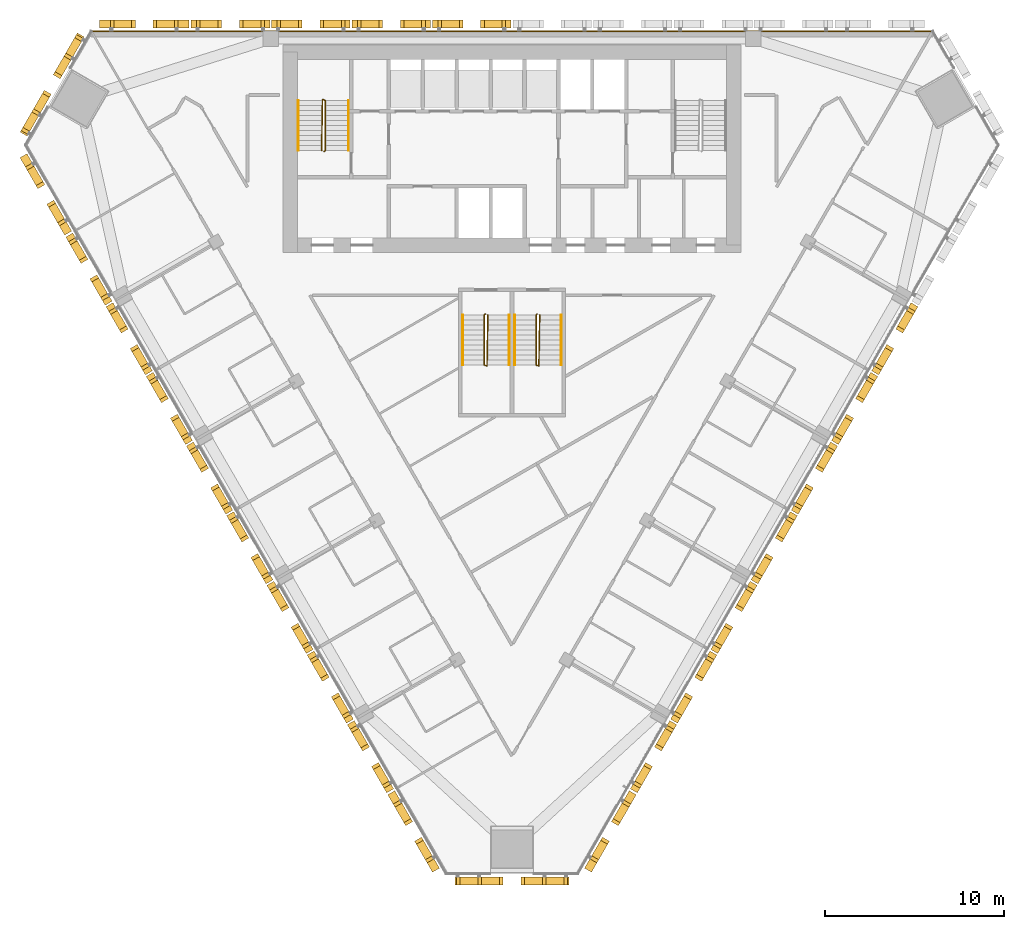
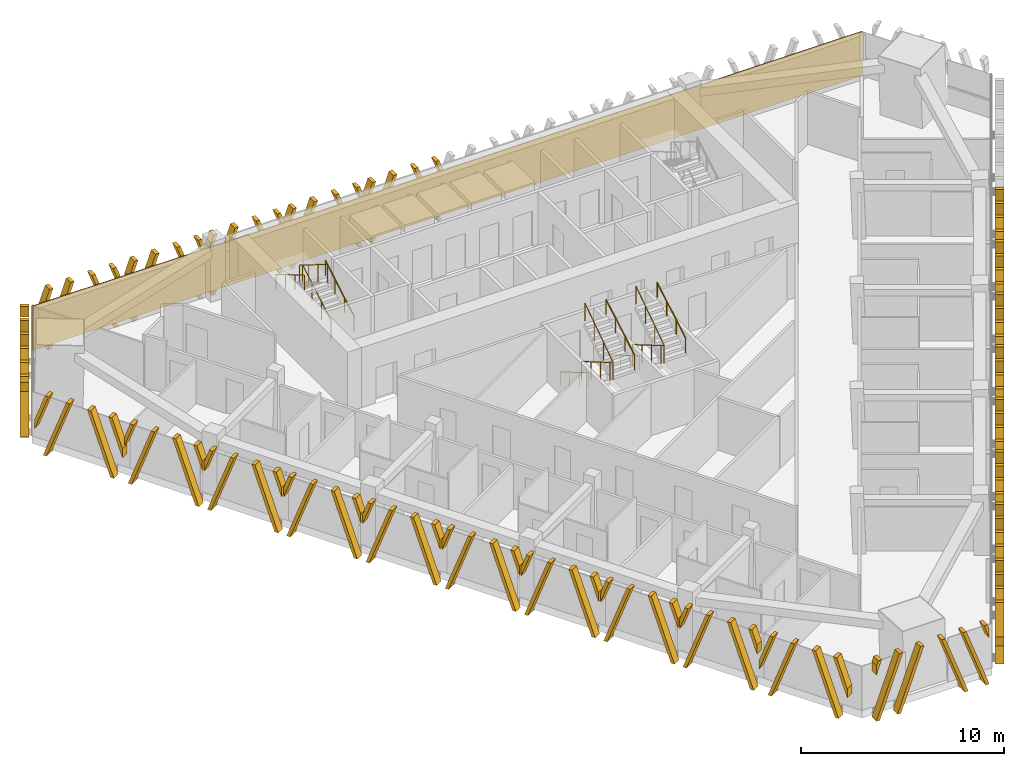
# One storey, part 14 of 16: 25 shading devices, 9 railings, 1 covering.
"""IFC4 building model written with IfcOpenShell, lengths in metres."""

from ifc_helpers import new_model, si_unit, direction, frame, frame_2d, origin, origin_2d, place, context, subcontext, project, spatial, polyline, rectangle, circle, outline, extrude, source, transform, mapped, material, layer, layer_set, type_object, element, save


model = new_model("IFC4")

# Units and contexts
model_context = context("Model", 3, precision=1e-05, world=origin(), true_north=direction((0.0, 1.0)))
body_context = subcontext(model_context, "Body", "Model", "MODEL_VIEW")
ifc_project = project(units=[si_unit("LENGTHUNIT", "METRE"), si_unit("AREAUNIT", "SQUARE_METRE"), si_unit("VOLUMEUNIT", "CUBIC_METRE"), si_unit("PLANEANGLEUNIT", "RADIAN"), si_unit("MASSUNIT", "GRAM", prefix="KILO")], contexts=[model_context])

# Site, building, storey
site_placement = place(None, origin())
site = spatial("IfcSite", under=ifc_project, at=site_placement, CompositionType="ELEMENT")
building_placement = place(site_placement, origin())
building = spatial("IfcBuilding", under=site, at=building_placement, Name="Altiplano Prism Tower", CompositionType="ELEMENT")
storey_placement = place(building_placement, frame((0.0, 0.0, 149.39990234375)))
storey = spatial("IfcBuildingStorey", under=building, at=storey_placement, Name="L38", CompositionType="ELEMENT", Elevation=149.39990234375)

# Railings
ifc_material_1 = material(Name="Steel S355", Category="steel")
railing_type_1 = type_object("IfcRailingType", Name="Stair guard 1100", PredefinedType="GUARDRAIL", material=ifc_material_1)
railing_1_placement = place(storey_placement, frame((74.5, 98.25, 0.0)))
element("IfcRailing", 1, at=railing_1_placement, inside=storey, type_object=railing_type_1, Name="L38 ST1 stair guard 1", PredefinedType="GUARDRAIL", context=body_context, shape_type="SweptSolid", body=[
    extrude(circle(Radius=0.02392578125, at=origin_2d()), frame((0.0, 0.0, 1.076171875), z_axis=(0.280456126637, 0.280456126637, 0.917980785237), x_axis=(-0.707106781187, 0.707106781187, 0.0)), (0.0, 0.0, 1.0), 0.178466796875),
    extrude(circle(Radius=0.02392578125, at=origin_2d()), frame((0.050048828125, 0.050048828125, 1.23974609375), z_axis=(0.0, 0.863393664356, 0.504530851732), x_axis=(-1.0, 0.0, 0.0)), (0.0, 0.0, 1.0), 3.2431640625),
    extrude(circle(Radius=0.02392578125, at=origin_2d()), frame((0.050048828125, 2.85009765625, 2.8759765625), z_axis=(-0.949145278916, 0.314838433982, 0.0), x_axis=(-0.314838433982, -0.949145278916, 0.0)), (0.0, 0.0, 1.0), 0.158203125),
    extrude(circle(Radius=0.02392578125, at=origin_2d()), frame((-0.10009765625, 2.89990234375, 2.8759765625), z_axis=(-0.01477401265, -0.845377694409, 0.533964682676), x_axis=(0.999847325713, -0.01747355902, 0.0)), (0.0, 0.0, 1.0), 3.37109375),
    extrude(circle(Radius=0.02099609375, at=origin_2d()), origin(), (0.0, 0.0, 1.0), 1.052001953125),
    extrude(circle(Radius=0.02099609375, at=origin_2d()), frame((0.050048828125, 0.050048828125, 0.163818359375)), (0.0, 0.0, 1.0), 1.052001953125),
    extrude(circle(Radius=0.02099609375, at=origin_2d()), frame((0.050048828125, 0.9833984375, 0.709228515625)), (0.0, 0.0, 1.0), 1.052001953125),
    extrude(circle(Radius=0.02099609375, at=origin_2d()), frame((0.050048828125, 1.916748046875, 1.254638671875)), (0.0, 0.0, 1.0), 1.052001953125),
    extrude(circle(Radius=0.02099609375, at=origin_2d()), frame((0.050048828125, 2.85009765625, 1.800048828125)), (0.0, 0.0, 1.0), 1.052001953125),
    extrude(circle(Radius=0.02099609375, at=origin_2d()), frame((-0.10009765625, 2.89990234375, 1.800048828125)), (0.0, 0.0, 1.0), 1.052001953125),
    extrude(circle(Radius=0.02099609375, at=origin_2d()), frame((-0.11669921875, 1.949951171875, 2.400146484375)), (0.0, 0.0, 1.0), 1.052001953125),
    extrude(circle(Radius=0.02099609375, at=origin_2d()), frame((-0.13330078125, 1.0, 3.0)), (0.0, 0.0, 1.0), 1.052001953125),
    extrude(circle(Radius=0.02099609375, at=origin_2d()), frame((-0.14990234375, 0.050048828125, 3.60009765625)), (0.0, 0.0, 1.0), 1.052001953125),
])
railing_2_placement = place(storey_placement, frame((83.5, 89.14990234375, 0.0)))
element("IfcRailing", 2, at=railing_2_placement, inside=storey, type_object=railing_type_1, Name="L38 ST3A stair guard 1", PredefinedType="GUARDRAIL", context=body_context, shape_type="SweptSolid", body=[
    extrude(circle(Radius=0.02392578125, at=origin_2d()), frame((0.0, 0.0, 1.076171875), z_axis=(-0.280563532951, -0.279194930351, 0.91833234444), x_axis=(0.705375805398, -0.708833529934, 0.0)), (0.0, 0.0, 1.0), 0.178466796875),
    extrude(circle(Radius=0.02392578125, at=origin_2d()), frame((-0.050048828125, -0.0498046875, 1.23974609375), z_axis=(0.0, -0.863393664356, 0.504530851732), x_axis=(1.0, 0.0, 0.0)), (0.0, 0.0, 1.0), 3.2431640625),
    extrude(circle(Radius=0.02392578125, at=origin_2d()), frame((-0.050048828125, -2.849853515625, 2.8759765625), z_axis=(0.948683298051, -0.316227766017, 0.0), x_axis=(0.316227766017, 0.948683298051, 0.0)), (0.0, 0.0, 1.0), 0.158203125),
    extrude(circle(Radius=0.02392578125, at=origin_2d()), frame((0.10009765625, -2.89990234375, 2.8759765625), z_axis=(0.014773108175, 0.84539835705, 0.533931993021), x_axis=(-0.999847351862, 0.017472062685, 0.0)), (0.0, 0.0, 1.0), 3.371337890625),
    extrude(circle(Radius=0.02099609375, at=origin_2d()), origin(), (0.0, 0.0, 1.0), 1.052001953125),
    extrude(circle(Radius=0.02099609375, at=origin_2d()), frame((-0.050048828125, -0.0498046875, 0.163818359375)), (0.0, 0.0, 1.0), 1.052001953125),
    extrude(circle(Radius=0.02099609375, at=origin_2d()), frame((-0.050048828125, -0.983154296875, 0.709228515625)), (0.0, 0.0, 1.0), 1.052001953125),
    extrude(circle(Radius=0.02099609375, at=origin_2d()), frame((-0.050048828125, -1.91650390625, 1.254638671875)), (0.0, 0.0, 1.0), 1.052001953125),
    extrude(circle(Radius=0.02099609375, at=origin_2d()), frame((-0.050048828125, -2.849853515625, 1.800048828125)), (0.0, 0.0, 1.0), 1.052001953125),
    extrude(circle(Radius=0.02099609375, at=origin_2d()), frame((0.10009765625, -2.89990234375, 1.800048828125)), (0.0, 0.0, 1.0), 1.052001953125),
    extrude(circle(Radius=0.02099609375, at=origin_2d()), frame((0.11669921875, -1.949951171875, 2.400146484375)), (0.0, 0.0, 1.0), 1.052001953125),
    extrude(circle(Radius=0.02099609375, at=origin_2d()), frame((0.13330078125, -0.999755859375, 3.0)), (0.0, 0.0, 1.0), 1.052001953125),
    extrude(circle(Radius=0.02099609375, at=origin_2d()), frame((0.14990234375, -0.0498046875, 3.60009765625)), (0.0, 0.0, 1.0), 1.052001953125),
])
railing_3_placement = place(storey_placement, frame((86.39990234375, 89.14990234375, 0.0)))
element("IfcRailing", 3, at=railing_3_placement, inside=storey, type_object=railing_type_1, Name="L38 ST3B stair guard 1", PredefinedType="GUARDRAIL", context=body_context, shape_type="SweptSolid", body=[
    extrude(circle(Radius=0.02392578125, at=origin_2d()), frame((0.0, 0.0, 1.076171875), z_axis=(-0.279301935624, -0.279301935624, 0.918684307863), x_axis=(0.707106781187, -0.707106781187, 0.0)), (0.0, 0.0, 1.0), 0.17822265625),
    extrude(circle(Radius=0.02392578125, at=origin_2d()), frame((-0.0498046875, -0.0498046875, 1.23974609375), z_axis=(0.0, -0.863393664356, 0.504530851732), x_axis=(1.0, 0.0, 0.0)), (0.0, 0.0, 1.0), 3.2431640625),
    extrude(circle(Radius=0.02392578125, at=origin_2d()), frame((-0.0498046875, -2.849853515625, 2.8759765625), z_axis=(0.948528701346, -0.316691178788, 0.0), x_axis=(0.316691178788, 0.948528701346, 0.0)), (0.0, 0.0, 1.0), 0.157958984375),
    extrude(circle(Radius=0.02392578125, at=origin_2d()), frame((0.10009765625, -2.89990234375, 2.8759765625), z_axis=(0.014845509451, 0.845397450405, 0.533931420407), x_axis=(-0.999845851991, 0.017557683712, 0.0)), (0.0, 0.0, 1.0), 3.371337890625),
    extrude(circle(Radius=0.02099609375, at=origin_2d()), origin(), (0.0, 0.0, 1.0), 1.052001953125),
    extrude(circle(Radius=0.02099609375, at=origin_2d()), frame((-0.0498046875, -0.0498046875, 0.163818359375)), (0.0, 0.0, 1.0), 1.052001953125),
    extrude(circle(Radius=0.02099609375, at=origin_2d()), frame((-0.0498046875, -0.983154296875, 0.709228515625)), (0.0, 0.0, 1.0), 1.052001953125),
    extrude(circle(Radius=0.02099609375, at=origin_2d()), frame((-0.0498046875, -1.91650390625, 1.254638671875)), (0.0, 0.0, 1.0), 1.052001953125),
    extrude(circle(Radius=0.02099609375, at=origin_2d()), frame((-0.0498046875, -2.849853515625, 1.800048828125)), (0.0, 0.0, 1.0), 1.052001953125),
    extrude(circle(Radius=0.02099609375, at=origin_2d()), frame((0.10009765625, -2.89990234375, 1.800048828125)), (0.0, 0.0, 1.0), 1.052001953125),
    extrude(circle(Radius=0.02099609375, at=origin_2d()), frame((0.11669921875, -1.949951171875, 2.400146484375)), (0.0, 0.0, 1.0), 1.052001953125),
    extrude(circle(Radius=0.02099609375, at=origin_2d()), frame((0.133544921875, -0.999755859375, 3.0)), (0.0, 0.0, 1.0), 1.052001953125),
    extrude(circle(Radius=0.02099609375, at=origin_2d()), frame((0.150146484375, -0.0498046875, 3.60009765625)), (0.0, 0.0, 1.0), 1.052001953125),
])
railing_type_2 = type_object("IfcRailingType", Name="Stair handrail 900", PredefinedType="HANDRAIL", material=ifc_material_1)
railing_4_placement = place(storey_placement, frame((75.85009765625, 98.300048828125, 0.163818359375)))
element("IfcRailing", 4, at=railing_4_placement, inside=storey, type_object=railing_type_2, Name="L38 ST1 stair handrail 1", PredefinedType="HANDRAIL", context=body_context, shape_type="SweptSolid", body=[
    extrude(circle(Radius=0.02392578125, at=origin_2d()), frame((0.0, 0.0, 0.8759765625), z_axis=(0.0, 0.863393664356, 0.504530851732), x_axis=(-1.0, 0.0, 0.0)), (0.0, 0.0, 1.0), 3.2431640625),
    extrude(circle(Radius=0.02099609375, at=origin_2d()), origin(), (0.0, 0.0, 1.0), 0.851806640625),
    extrude(circle(Radius=0.02099609375, at=origin_2d()), frame((0.0, 0.933349609375, 0.54541015625)), (0.0, 0.0, 1.0), 0.851806640625),
    extrude(circle(Radius=0.02099609375, at=origin_2d()), frame((0.0, 1.86669921875, 1.0908203125)), (0.0, 0.0, 1.0), 0.851806640625),
    extrude(circle(Radius=0.02099609375, at=origin_2d()), frame((0.0, 2.800048828125, 1.63623046875)), (0.0, 0.0, 1.0), 0.851806640625),
])
railing_5_placement = place(storey_placement, frame((73.050048828125, 101.10009765625, 1.963623046875)))
element("IfcRailing", 5, at=railing_5_placement, inside=storey, type_object=railing_type_2, Name="L38 ST1 stair handrail 2", PredefinedType="HANDRAIL", context=body_context, shape_type="SweptSolid", body=[
    extrude(circle(Radius=0.02392578125, at=origin_2d()), frame((0.0, 0.0, 0.8759765625), z_axis=(0.0, -0.863360870873, 0.504586966384), x_axis=(1.0, 0.0, 0.0)), (0.0, 0.0, 1.0), 3.2431640625),
    extrude(circle(Radius=0.02099609375, at=origin_2d()), origin(), (0.0, 0.0, 1.0), 0.851806640625),
    extrude(circle(Radius=0.02099609375, at=origin_2d()), frame((0.0, -0.933349609375, 0.54541015625)), (0.0, 0.0, 1.0), 0.851806640625),
    extrude(circle(Radius=0.02099609375, at=origin_2d()), frame((0.0, -1.86669921875, 1.091064453125)), (0.0, 0.0, 1.0), 0.851806640625),
    extrude(circle(Radius=0.02099609375, at=origin_2d()), frame((0.0, -2.800048828125, 1.636474609375)), (0.0, 0.0, 1.0), 0.851806640625),
])
railing_6_placement = place(storey_placement, frame((82.25, 89.10009765625, 0.163818359375)))
element("IfcRailing", 6, at=railing_6_placement, inside=storey, type_object=railing_type_2, Name="L38 ST3A stair handrail 1", PredefinedType="HANDRAIL", context=body_context, shape_type="SweptSolid", body=[
    extrude(circle(Radius=0.02392578125, at=origin_2d()), frame((0.0, 0.0, 0.8759765625), z_axis=(0.0, -0.863393664356, 0.504530851732), x_axis=(1.0, 0.0, 0.0)), (0.0, 0.0, 1.0), 3.2431640625),
    extrude(circle(Radius=0.02099609375, at=origin_2d()), origin(), (0.0, 0.0, 1.0), 0.851806640625),
    extrude(circle(Radius=0.02099609375, at=origin_2d()), frame((0.0, -0.933349609375, 0.54541015625)), (0.0, 0.0, 1.0), 0.851806640625),
    extrude(circle(Radius=0.02099609375, at=origin_2d()), frame((0.0, -1.86669921875, 1.0908203125)), (0.0, 0.0, 1.0), 0.851806640625),
    extrude(circle(Radius=0.02099609375, at=origin_2d()), frame((0.0, -2.800048828125, 1.63623046875)), (0.0, 0.0, 1.0), 0.851806640625),
])
railing_7_placement = place(storey_placement, frame((84.85009765625, 86.300048828125, 1.963623046875)))
element("IfcRailing", 7, at=railing_7_placement, inside=storey, type_object=railing_type_2, Name="L38 ST3A stair handrail 2", PredefinedType="HANDRAIL", context=body_context, shape_type="SweptSolid", body=[
    extrude(circle(Radius=0.02392578125, at=origin_2d()), frame((0.0, 0.0, 0.8759765625), z_axis=(0.0, 0.863360870873, 0.504586966384), x_axis=(-1.0, 0.0, 0.0)), (0.0, 0.0, 1.0), 3.2431640625),
    extrude(circle(Radius=0.02099609375, at=origin_2d()), origin(), (0.0, 0.0, 1.0), 0.851806640625),
    extrude(circle(Radius=0.02099609375, at=origin_2d()), frame((0.0, 0.933349609375, 0.54541015625)), (0.0, 0.0, 1.0), 0.851806640625),
    extrude(circle(Radius=0.02099609375, at=origin_2d()), frame((0.0, 1.86669921875, 1.091064453125)), (0.0, 0.0, 1.0), 0.851806640625),
    extrude(circle(Radius=0.02099609375, at=origin_2d()), frame((0.0, 2.800048828125, 1.636474609375)), (0.0, 0.0, 1.0), 0.851806640625),
])
railing_8_placement = place(storey_placement, frame((85.14990234375, 89.10009765625, 0.163818359375)))
element("IfcRailing", 8, at=railing_8_placement, inside=storey, type_object=railing_type_2, Name="L38 ST3B stair handrail 1", PredefinedType="HANDRAIL", context=body_context, shape_type="SweptSolid", body=[
    extrude(circle(Radius=0.02392578125, at=origin_2d()), frame((0.0, 0.0, 0.8759765625), z_axis=(0.0, -0.863393664356, 0.504530851732), x_axis=(1.0, 0.0, 0.0)), (0.0, 0.0, 1.0), 3.2431640625),
    extrude(circle(Radius=0.02099609375, at=origin_2d()), origin(), (0.0, 0.0, 1.0), 0.851806640625),
    extrude(circle(Radius=0.02099609375, at=origin_2d()), frame((0.0, -0.933349609375, 0.54541015625)), (0.0, 0.0, 1.0), 0.851806640625),
    extrude(circle(Radius=0.02099609375, at=origin_2d()), frame((0.0, -1.86669921875, 1.0908203125)), (0.0, 0.0, 1.0), 0.851806640625),
    extrude(circle(Radius=0.02099609375, at=origin_2d()), frame((0.0, -2.800048828125, 1.63623046875)), (0.0, 0.0, 1.0), 0.851806640625),
])
railing_9_placement = place(storey_placement, frame((87.75, 86.300048828125, 1.963623046875)))
element("IfcRailing", 9, at=railing_9_placement, inside=storey, type_object=railing_type_2, Name="L38 ST3B stair handrail 2", PredefinedType="HANDRAIL", context=body_context, shape_type="SweptSolid", body=[
    extrude(circle(Radius=0.02392578125, at=origin_2d()), frame((0.0, 0.0, 0.8759765625), z_axis=(0.0, 0.863360870873, 0.504586966384), x_axis=(-1.0, 0.0, 0.0)), (0.0, 0.0, 1.0), 3.2431640625),
    extrude(circle(Radius=0.02099609375, at=origin_2d()), origin(), (0.0, 0.0, 1.0), 0.851806640625),
    extrude(circle(Radius=0.02099609375, at=origin_2d()), frame((0.0, 0.933349609375, 0.54541015625)), (0.0, 0.0, 1.0), 0.851806640625),
    extrude(circle(Radius=0.02099609375, at=origin_2d()), frame((0.0, 1.86669921875, 1.091064453125)), (0.0, 0.0, 1.0), 0.851806640625),
    extrude(circle(Radius=0.02099609375, at=origin_2d()), frame((0.0, 2.800048828125, 1.636474609375)), (0.0, 0.0, 1.0), 0.851806640625),
])

# Covering
ifc_material_2 = material(Name="Warm limestone cast stone", Category="masonry")
ifc_layer = layer(ifc_material_2, 0.06005859375)
ifc_layer_set = layer_set([ifc_layer], Name="Warm limestone cast stone")
covering_type = type_object("IfcCoveringType", Name="Stone cladding 60", PredefinedType="CLADDING", material=ifc_layer_set)
covering_placement = place(storey_placement, frame((61.44921875, 104.969970703125, 0.0), z_axis=(0.0, 0.0, 1.0), x_axis=(1.0, 0.0, 0.0)))
element("IfcCovering", 10, at=covering_placement, inside=storey, type_object=covering_type, Name="Stone cladding north face L38", PredefinedType="CLADDING", context=body_context, shape_type="SweptSolid", body=[
    extrude(rectangle(XDim=47.1015625, YDim=0.06005859375, at=frame_2d((23.55078125, 0.0))), origin(), (0.0, 0.0, 1.0), 2.650146484375),
])

# Shading devices
shading_device_type_1 = type_object("IfcShadingDeviceType", Name="Stone fin panel, standard unit", PredefinedType="USERDEFINED", material=ifc_material_2)
shared_shape_1 = source(origin(), body_context, "Body", "SweptSolid", [
    extrude(outline(polyline([(-2.199951171875, 2.226318359375), (-1.699951171875, 3.60009765625), (-1.89990234375, 3.60009765625), (-2.199951171875, 2.77587890625), (-2.199951171875, 2.226318359375)])), frame((0.0, -0.14990234375, 0.0), z_axis=(0.0, -1.0, 0.0), x_axis=(1.0, 0.0, 0.0)), (0.0, 0.0, 1.0), 0.4501953125),
    extrude(outline(polyline([(-2.01025390625, 0.0), (-1.810302734375, 0.0), (-0.5, 3.60009765625), (-0.699951171875, 3.60009765625), (-2.01025390625, 0.0)])), frame((0.0, -0.14990234375, 0.0), z_axis=(0.0, -1.0, 0.0), x_axis=(1.0, 0.0, 0.0)), (0.0, 0.0, 1.0), 0.4501953125),
    extrude(outline(polyline([(1.810302734375, 0.0), (2.01025390625, 0.0), (0.699951171875, 3.60009765625), (0.5, 3.60009765625), (1.810302734375, 0.0)])), frame((0.0, -0.14990234375, 0.0), z_axis=(0.0, -1.0, 0.0), x_axis=(1.0, 0.0, 0.0)), (0.0, 0.0, 1.0), 0.4501953125),
    extrude(outline(polyline([(2.199951171875, 2.77587890625), (1.89990234375, 3.60009765625), (1.699951171875, 3.60009765625), (2.199951171875, 2.226318359375), (2.199951171875, 2.77587890625)])), frame((0.0, -0.14990234375, 0.0), z_axis=(0.0, -1.0, 0.0), x_axis=(1.0, 0.0, 0.0)), (0.0, 0.0, 1.0), 0.4501953125),
])
shading_device_1_placement = place(storey_placement, origin())
element("IfcShadingDevice", 11, at=shading_device_1_placement, inside=storey, type_object=shading_device_type_1, Name="Fin L38 north face 6", ObjectType="FIN", PredefinedType="USERDEFINED", context=body_context, shape_type="MappedRepresentation", body=[
    mapped(shared_shape_1, transform((82.75, 105.0, -0.449951171875), x_axis=(-1.0, 0.0, 0.0), y_axis=(0.0, -1.0, 0.0), z_axis=(0.0, 0.0, 1.0))),
])
shading_device_2_placement = place(storey_placement, origin())
element("IfcShadingDevice", 12, at=shading_device_2_placement, inside=storey, type_object=shading_device_type_1, Name="Fin L38 north face 7", ObjectType="FIN", PredefinedType="USERDEFINED", context=body_context, shape_type="MappedRepresentation", body=[
    mapped(shared_shape_1, transform((78.25, 105.0, -0.449951171875), x_axis=(-1.0, 0.0, 0.0), y_axis=(0.0, -1.0, 0.0), z_axis=(0.0, 0.0, 1.0))),
])
shading_device_3_placement = place(storey_placement, origin())
element("IfcShadingDevice", 13, at=shading_device_3_placement, inside=storey, type_object=shading_device_type_1, Name="Fin L38 north face 8", ObjectType="FIN", PredefinedType="USERDEFINED", context=body_context, shape_type="MappedRepresentation", body=[
    mapped(shared_shape_1, transform((73.75, 105.0, -0.449951171875), x_axis=(-1.0, 0.0, 0.0), y_axis=(0.0, -1.0, 0.0), z_axis=(0.0, 0.0, 1.0))),
])
shading_device_4_placement = place(storey_placement, origin())
element("IfcShadingDevice", 14, at=shading_device_4_placement, inside=storey, type_object=shading_device_type_1, Name="Fin L38 north face 9", ObjectType="FIN", PredefinedType="USERDEFINED", context=body_context, shape_type="MappedRepresentation", body=[
    mapped(shared_shape_1, transform((69.25, 105.0, -0.449951171875), x_axis=(-1.0, 0.0, 0.0), y_axis=(0.0, -1.0, 0.0), z_axis=(0.0, 0.0, 1.0))),
])
shading_device_5_placement = place(storey_placement, origin())
element("IfcShadingDevice", 15, at=shading_device_5_placement, inside=storey, type_object=shading_device_type_1, Name="Fin L38 south-west face 2", ObjectType="FIN", PredefinedType="USERDEFINED", context=body_context, shape_type="MappedRepresentation", body=[
    mapped(shared_shape_1, transform((61.658203125, 91.8505859375, -0.449951171875), x_axis=(0.500000004206, -0.866025401356, 0.0), y_axis=(0.866025401356, 0.500000004206, 0.0), z_axis=(0.0, 0.0, 1.0))),
])
shading_device_6_placement = place(storey_placement, origin())
element("IfcShadingDevice", 16, at=shading_device_6_placement, inside=storey, type_object=shading_device_type_1, Name="Fin L38 south-west face 3", ObjectType="FIN", PredefinedType="USERDEFINED", context=body_context, shape_type="MappedRepresentation", body=[
    mapped(shared_shape_1, transform((63.908203125, 87.953369140625, -0.449951171875), x_axis=(0.500000004206, -0.866025401356, 0.0), y_axis=(0.866025401356, 0.500000004206, 0.0), z_axis=(0.0, 0.0, 1.0))),
])
shading_device_7_placement = place(storey_placement, origin())
element("IfcShadingDevice", 17, at=shading_device_7_placement, inside=storey, type_object=shading_device_type_1, Name="Fin L38 south-west face 4", ObjectType="FIN", PredefinedType="USERDEFINED", context=body_context, shape_type="MappedRepresentation", body=[
    mapped(shared_shape_1, transform((66.158203125, 84.05615234375, -0.449951171875), x_axis=(0.500000004206, -0.866025401356, 0.0), y_axis=(0.866025401356, 0.500000004206, 0.0), z_axis=(0.0, 0.0, 1.0))),
])
shading_device_8_placement = place(storey_placement, origin())
element("IfcShadingDevice", 18, at=shading_device_8_placement, inside=storey, type_object=shading_device_type_1, Name="Fin L38 south-west face 5", ObjectType="FIN", PredefinedType="USERDEFINED", context=body_context, shape_type="MappedRepresentation", body=[
    mapped(shared_shape_1, transform((68.408203125, 80.1591796875, -0.449951171875), x_axis=(0.500000004206, -0.866025401356, 0.0), y_axis=(0.866025401356, 0.500000004206, 0.0), z_axis=(0.0, 0.0, 1.0))),
])
shading_device_9_placement = place(storey_placement, origin())
element("IfcShadingDevice", 19, at=shading_device_9_placement, inside=storey, type_object=shading_device_type_1, Name="Fin L38 south-west face 6", ObjectType="FIN", PredefinedType="USERDEFINED", context=body_context, shape_type="MappedRepresentation", body=[
    mapped(shared_shape_1, transform((70.658203125, 76.261962890625, -0.449951171875), x_axis=(0.500000004206, -0.866025401356, 0.0), y_axis=(0.866025401356, 0.500000004206, 0.0), z_axis=(0.0, 0.0, 1.0))),
])
shading_device_10_placement = place(storey_placement, origin())
element("IfcShadingDevice", 20, at=shading_device_10_placement, inside=storey, type_object=shading_device_type_1, Name="Fin L38 south-west face 7", ObjectType="FIN", PredefinedType="USERDEFINED", context=body_context, shape_type="MappedRepresentation", body=[
    mapped(shared_shape_1, transform((72.908203125, 72.364990234375, -0.449951171875), x_axis=(0.500000004206, -0.866025401356, 0.0), y_axis=(0.866025401356, 0.500000004206, 0.0), z_axis=(0.0, 0.0, 1.0))),
])
shading_device_11_placement = place(storey_placement, origin())
element("IfcShadingDevice", 21, at=shading_device_11_placement, inside=storey, type_object=shading_device_type_1, Name="Fin L38 south-west face 8", ObjectType="FIN", PredefinedType="USERDEFINED", context=body_context, shape_type="MappedRepresentation", body=[
    mapped(shared_shape_1, transform((75.158203125, 68.4677734375, -0.449951171875), x_axis=(0.500000004206, -0.866025401356, 0.0), y_axis=(0.866025401356, 0.500000004206, 0.0), z_axis=(0.0, 0.0, 1.0))),
])
shading_device_12_placement = place(storey_placement, origin())
element("IfcShadingDevice", 22, at=shading_device_12_placement, inside=storey, type_object=shading_device_type_1, Name="Fin L38 south-west face 9", ObjectType="FIN", PredefinedType="USERDEFINED", context=body_context, shape_type="MappedRepresentation", body=[
    mapped(shared_shape_1, transform((77.408203125, 64.570556640625, -0.449951171875), x_axis=(0.500000004206, -0.866025401356, 0.0), y_axis=(0.866025401356, 0.500000004206, 0.0), z_axis=(0.0, 0.0, 1.0))),
])
shading_device_13_placement = place(storey_placement, origin())
element("IfcShadingDevice", 23, at=shading_device_13_placement, inside=storey, type_object=shading_device_type_1, Name="Fin L38 south-east face 2", ObjectType="FIN", PredefinedType="USERDEFINED", context=body_context, shape_type="MappedRepresentation", body=[
    mapped(shared_shape_1, transform((92.591796875, 64.570556640625, -0.449951171875), x_axis=(0.500000004206, 0.866025401356, 0.0), y_axis=(-0.866025401356, 0.500000004206, 0.0), z_axis=(0.0, 0.0, 1.0))),
])
shading_device_14_placement = place(storey_placement, origin())
element("IfcShadingDevice", 24, at=shading_device_14_placement, inside=storey, type_object=shading_device_type_1, Name="Fin L38 south-east face 3", ObjectType="FIN", PredefinedType="USERDEFINED", context=body_context, shape_type="MappedRepresentation", body=[
    mapped(shared_shape_1, transform((94.841796875, 68.4677734375, -0.449951171875), x_axis=(0.500000004206, 0.866025401356, 0.0), y_axis=(-0.866025401356, 0.500000004206, 0.0), z_axis=(0.0, 0.0, 1.0))),
])
shading_device_15_placement = place(storey_placement, origin())
element("IfcShadingDevice", 25, at=shading_device_15_placement, inside=storey, type_object=shading_device_type_1, Name="Fin L38 south-east face 4", ObjectType="FIN", PredefinedType="USERDEFINED", context=body_context, shape_type="MappedRepresentation", body=[
    mapped(shared_shape_1, transform((97.091796875, 72.364990234375, -0.449951171875), x_axis=(0.500000004206, 0.866025401356, 0.0), y_axis=(-0.866025401356, 0.500000004206, 0.0), z_axis=(0.0, 0.0, 1.0))),
])
shading_device_16_placement = place(storey_placement, origin())
element("IfcShadingDevice", 26, at=shading_device_16_placement, inside=storey, type_object=shading_device_type_1, Name="Fin L38 south-east face 5", ObjectType="FIN", PredefinedType="USERDEFINED", context=body_context, shape_type="MappedRepresentation", body=[
    mapped(shared_shape_1, transform((99.341796875, 76.261962890625, -0.449951171875), x_axis=(0.500000004206, 0.866025401356, 0.0), y_axis=(-0.866025401356, 0.500000004206, 0.0), z_axis=(0.0, 0.0, 1.0))),
])
shading_device_17_placement = place(storey_placement, origin())
element("IfcShadingDevice", 27, at=shading_device_17_placement, inside=storey, type_object=shading_device_type_1, Name="Fin L38 south-east face 6", ObjectType="FIN", PredefinedType="USERDEFINED", context=body_context, shape_type="MappedRepresentation", body=[
    mapped(shared_shape_1, transform((101.591796875, 80.1591796875, -0.449951171875), x_axis=(0.500000004206, 0.866025401356, 0.0), y_axis=(-0.866025401356, 0.500000004206, 0.0), z_axis=(0.0, 0.0, 1.0))),
])
shading_device_18_placement = place(storey_placement, origin())
element("IfcShadingDevice", 28, at=shading_device_18_placement, inside=storey, type_object=shading_device_type_1, Name="Fin L38 south-east face 7", ObjectType="FIN", PredefinedType="USERDEFINED", context=body_context, shape_type="MappedRepresentation", body=[
    mapped(shared_shape_1, transform((103.841796875, 84.05615234375, -0.449951171875), x_axis=(0.500000004206, 0.866025401356, 0.0), y_axis=(-0.866025401356, 0.500000004206, 0.0), z_axis=(0.0, 0.0, 1.0))),
])
shading_device_19_placement = place(storey_placement, origin())
element("IfcShadingDevice", 29, at=shading_device_19_placement, inside=storey, type_object=shading_device_type_1, Name="Fin L38 south-east face 8", ObjectType="FIN", PredefinedType="USERDEFINED", context=body_context, shape_type="MappedRepresentation", body=[
    mapped(shared_shape_1, transform((106.091796875, 87.953369140625, -0.449951171875), x_axis=(0.500000004206, 0.866025401356, 0.0), y_axis=(-0.866025401356, 0.500000004206, 0.0), z_axis=(0.0, 0.0, 1.0))),
])
shading_device_type_2 = type_object("IfcShadingDeviceType", Name="Stone fin panel, wide closing bay", PredefinedType="USERDEFINED", material=ifc_material_2)
shared_shape_2 = source(origin(), body_context, "Body", "SweptSolid", [
    extrude(outline(polyline([(-2.5, 1.402099609375), (-1.699951171875, 3.60009765625), (-1.89990234375, 3.60009765625), (-2.5, 1.951416015625), (-2.5, 1.402099609375)])), frame((0.0, -0.14990234375, 0.0), z_axis=(0.0, -1.0, 0.0), x_axis=(1.0, 0.0, 0.0)), (0.0, 0.0, 1.0), 0.4501953125),
    extrude(outline(polyline([(-2.01025390625, 0.0), (-1.810302734375, 0.0), (-0.5, 3.60009765625), (-0.699951171875, 3.60009765625), (-2.01025390625, 0.0)])), frame((0.0, -0.14990234375, 0.0), z_axis=(0.0, -1.0, 0.0), x_axis=(1.0, 0.0, 0.0)), (0.0, 0.0, 1.0), 0.4501953125),
    extrude(outline(polyline([(1.810302734375, 0.0), (2.01025390625, 0.0), (0.699951171875, 3.60009765625), (0.5, 3.60009765625), (1.810302734375, 0.0)])), frame((0.0, -0.14990234375, 0.0), z_axis=(0.0, -1.0, 0.0), x_axis=(1.0, 0.0, 0.0)), (0.0, 0.0, 1.0), 0.4501953125),
    extrude(outline(polyline([(2.5, 1.951416015625), (1.89990234375, 3.60009765625), (1.699951171875, 3.60009765625), (2.5, 1.402099609375), (2.5, 1.951416015625)])), frame((0.0, -0.14990234375, 0.0), z_axis=(0.0, -1.0, 0.0), x_axis=(1.0, 0.0, 0.0)), (0.0, 0.0, 1.0), 0.4501953125),
])
shading_device_20_placement = place(storey_placement, origin())
element("IfcShadingDevice", 30, at=shading_device_20_placement, inside=storey, type_object=shading_device_type_2, Name="Fin L38 north face 10", ObjectType="FIN", PredefinedType="USERDEFINED", context=body_context, shape_type="MappedRepresentation", body=[
    mapped(shared_shape_2, transform((64.424560546875, 105.0, -0.449951171875), x_axis=(-1.0, 0.0, 0.0), y_axis=(0.0, -1.0, 0.0), z_axis=(0.0, 0.0, 1.0))),
])
shading_device_21_placement = place(storey_placement, origin())
element("IfcShadingDevice", 31, at=shading_device_21_placement, inside=storey, type_object=shading_device_type_2, Name="Fin L38 south-west face 1", ObjectType="FIN", PredefinedType="USERDEFINED", context=body_context, shape_type="MappedRepresentation", body=[
    mapped(shared_shape_2, transform((59.245361328125, 96.029296875, -0.449951171875), x_axis=(0.500000004206, -0.866025401356, 0.0), y_axis=(0.866025401356, 0.500000004206, 0.0), z_axis=(0.0, 0.0, 1.0))),
])
shading_device_22_placement = place(storey_placement, origin())
element("IfcShadingDevice", 32, at=shading_device_22_placement, inside=storey, type_object=shading_device_type_2, Name="Fin L38 south-west face 10", ObjectType="FIN", PredefinedType="USERDEFINED", context=body_context, shape_type="MappedRepresentation", body=[
    mapped(shared_shape_2, transform((79.82080078125, 60.391845703125, -0.449951171875), x_axis=(0.500000004206, -0.866025401356, 0.0), y_axis=(0.866025401356, 0.500000004206, 0.0), z_axis=(0.0, 0.0, 1.0))),
])
shading_device_23_placement = place(storey_placement, origin())
element("IfcShadingDevice", 33, at=shading_device_23_placement, inside=storey, type_object=shading_device_type_2, Name="Fin L38 south-east face 1", ObjectType="FIN", PredefinedType="USERDEFINED", context=body_context, shape_type="MappedRepresentation", body=[
    mapped(shared_shape_2, transform((90.17919921875, 60.391845703125, -0.449951171875), x_axis=(0.500000004206, 0.866025401356, 0.0), y_axis=(-0.866025401356, 0.500000004206, 0.0), z_axis=(0.0, 0.0, 1.0))),
])
shading_device_type_3 = type_object("IfcShadingDeviceType", Name="Stone fin panel, chamfer unit", PredefinedType="USERDEFINED", material=ifc_material_2)
shared_shape_3 = source(origin(), body_context, "Body", "SweptSolid", [
    extrude(outline(polyline([(-3.199951171875, 0.0), (-3.01025390625, 0.0), (-1.699951171875, 3.60009765625), (-1.89990234375, 3.60009765625), (-3.199951171875, 0.0283203125), (-3.199951171875, 0.0)])), frame((0.0, -0.14990234375, 0.0), z_axis=(0.0, -1.0, 0.0), x_axis=(1.0, 0.0, 0.0)), (0.0, 0.0, 1.0), 0.4501953125),
    extrude(outline(polyline([(-3.199951171875, 2.77587890625), (-2.89990234375, 3.60009765625), (-3.10009765625, 3.60009765625), (-3.199951171875, 3.3251953125), (-3.199951171875, 2.77587890625)])), frame((0.0, -0.14990234375, 0.0), z_axis=(0.0, -1.0, 0.0), x_axis=(1.0, 0.0, 0.0)), (0.0, 0.0, 1.0), 0.4501953125),
    extrude(outline(polyline([(-2.01025390625, 0.0), (-1.810302734375, 0.0), (-0.5, 3.60009765625), (-0.699951171875, 3.60009765625), (-2.01025390625, 0.0)])), frame((0.0, -0.14990234375, 0.0), z_axis=(0.0, -1.0, 0.0), x_axis=(1.0, 0.0, 0.0)), (0.0, 0.0, 1.0), 0.4501953125),
    extrude(outline(polyline([(1.810302734375, 0.0), (2.01025390625, 0.0), (0.699951171875, 3.60009765625), (0.5, 3.60009765625), (1.810302734375, 0.0)])), frame((0.0, -0.14990234375, 0.0), z_axis=(0.0, -1.0, 0.0), x_axis=(1.0, 0.0, 0.0)), (0.0, 0.0, 1.0), 0.4501953125),
    extrude(outline(polyline([(3.01025390625, 0.0), (3.199951171875, 0.0), (3.199951171875, 0.0283203125), (1.89990234375, 3.60009765625), (1.699951171875, 3.60009765625), (3.01025390625, 0.0)])), frame((0.0, -0.14990234375, 0.0), z_axis=(0.0, -1.0, 0.0), x_axis=(1.0, 0.0, 0.0)), (0.0, 0.0, 1.0), 0.4501953125),
    extrude(outline(polyline([(3.199951171875, 3.3251953125), (3.10009765625, 3.60009765625), (2.89990234375, 3.60009765625), (3.199951171875, 2.77587890625), (3.199951171875, 3.3251953125)])), frame((0.0, -0.14990234375, 0.0), z_axis=(0.0, -1.0, 0.0), x_axis=(1.0, 0.0, 0.0)), (0.0, 0.0, 1.0), 0.4501953125),
])
shading_device_24_placement = place(storey_placement, origin())
element("IfcShadingDevice", 34, at=shading_device_24_placement, inside=storey, type_object=shading_device_type_3, Name="Fin L38 north-west chamfer 1", ObjectType="FIN", PredefinedType="USERDEFINED", context=body_context, shape_type="MappedRepresentation", body=[
    mapped(shared_shape_3, transform((59.603515625, 101.802978515625, -0.449951171875), x_axis=(-0.500000008072, -0.866025399124, 0.0), y_axis=(0.866025399124, -0.500000008072, 0.0), z_axis=(0.0, 0.0, 1.0))),
])
shading_device_25_placement = place(storey_placement, origin())
element("IfcShadingDevice", 35, at=shading_device_25_placement, inside=storey, type_object=shading_device_type_3, Name="Fin L38 south chamfer 1", ObjectType="FIN", PredefinedType="USERDEFINED", context=body_context, shape_type="MappedRepresentation", body=[
    mapped(shared_shape_3, transform((85.0, 57.81494140625, -0.449951171875), x_axis=(1.0, 0.0, 0.0), y_axis=(0.0, 1.0, 0.0), z_axis=(0.0, 0.0, 1.0))),
])

save(model, "model.ifc")
